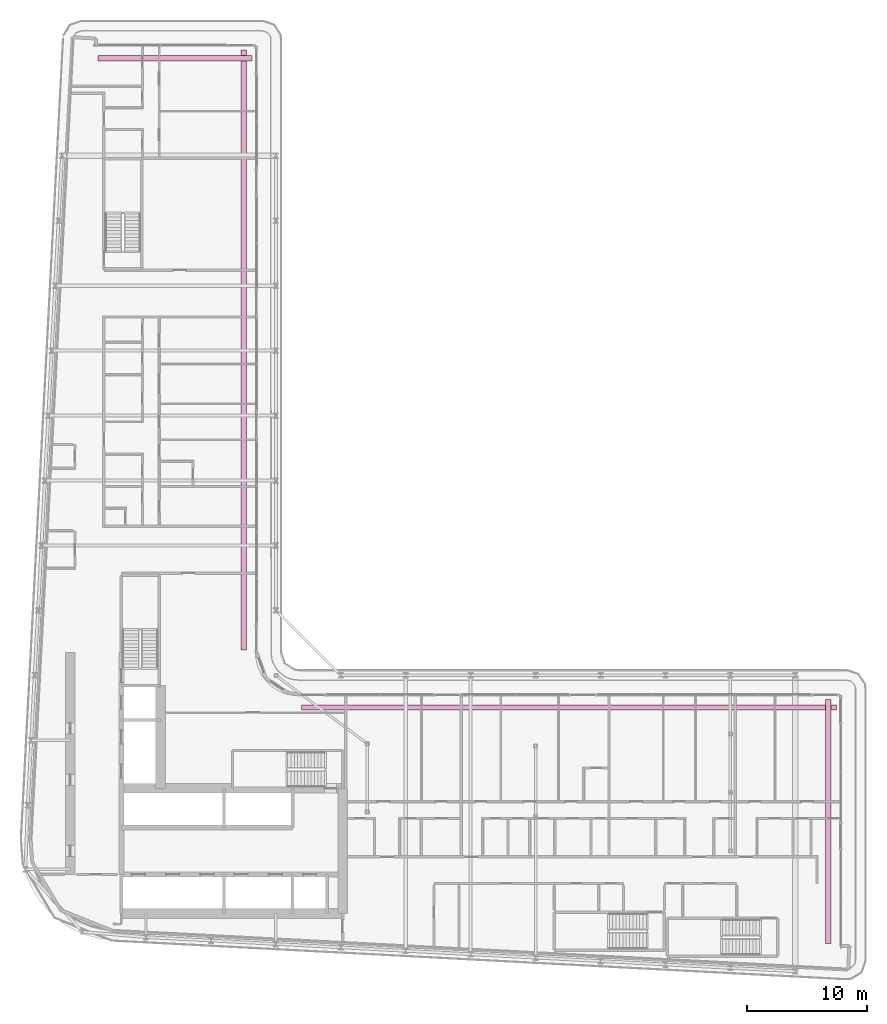
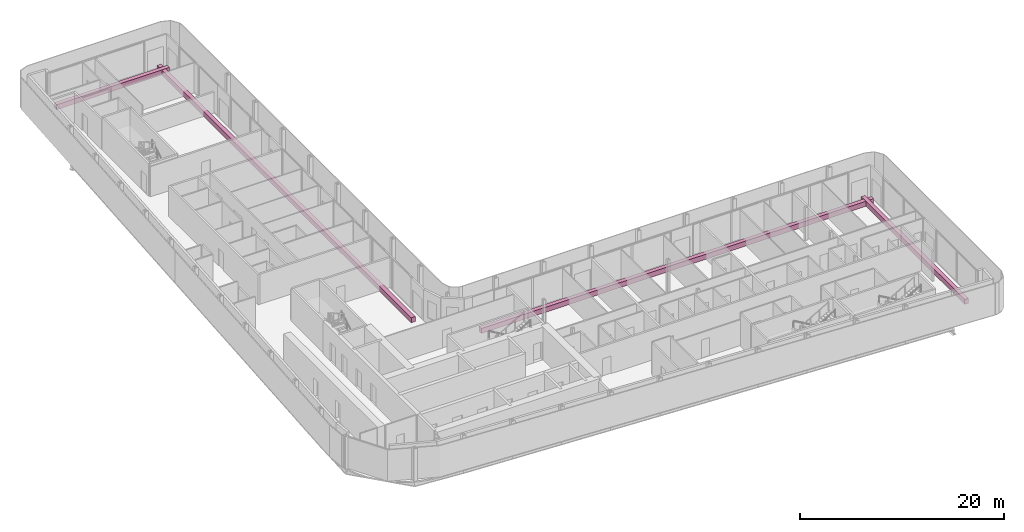
# One storey, part 29 of 29: 4 furniture elements.
"""IFC4 building model written with IfcOpenShell, lengths in metres."""

from ifc_helpers import new_model, si_unit, direction, frame, origin, origin_2d, place, context, subcontext, project, spatial, rectangle, extrude, material, type_object, element, save


model = new_model("IFC4")

# Units and contexts
model_context = context("Model", 3, precision=1e-05, world=origin(), true_north=direction((0.0, 1.0)))
body_context = subcontext(model_context, "Body", "Model", "MODEL_VIEW")
ifc_project = project(units=[si_unit("LENGTHUNIT", "METRE"), si_unit("AREAUNIT", "SQUARE_METRE"), si_unit("VOLUMEUNIT", "CUBIC_METRE"), si_unit("PLANEANGLEUNIT", "RADIAN"), si_unit("MASSUNIT", "GRAM", prefix="KILO")], contexts=[model_context])

# Site, building, storey
site_placement = place(None, origin())
site = spatial("IfcSite", under=ifc_project, at=site_placement, CompositionType="ELEMENT")
building_placement = place(site_placement, origin())
building = spatial("IfcBuilding", under=site, at=building_placement, Name="Kheshtan School and Residences Tower", CompositionType="ELEMENT")
storey_placement = place(building_placement, frame((0.0, 0.0, 172.10009765625)))
storey = spatial("IfcBuildingStorey", under=building, at=storey_placement, Name="L40", CompositionType="ELEMENT", Elevation=172.10009765625)

# Furniture
ifc_material = material(Name="Precast concrete C30/37 in terracotta finish", Category="masonry")
furniture_type = type_object("IfcFurnitureType", Name="Planter trough", AssemblyPlace="NOTDEFINED", PredefinedType="USERDEFINED", material=ifc_material)
furniture_1_placement = place(storey_placement, frame((39.196044921875, 96.925048828125, -0.000244140625), z_axis=(0.0, 0.0, 1.0), x_axis=(1.0, 0.0, 0.0)))
element("IfcFurniture", 1, at=furniture_1_placement, inside=storey, type_object=furniture_type, Name="Planter L40", ObjectType="PLANTER", PredefinedType="USERDEFINED", context=body_context, shape_type="SweptSolid", body=[
    extrude(rectangle(XDim=12.80810546875, YDim=0.449951171875, at=origin_2d()), origin(), (0.0, 0.0, 1.0), 0.60009765625),
])
furniture_2_placement = place(storey_placement, frame((44.925048828125, 72.6650390625, -0.000244140625), z_axis=(0.0, 0.0, 1.0), x_axis=(0.0, -1.0, 0.0)))
element("IfcFurniture", 2, at=furniture_2_placement, inside=storey, type_object=furniture_type, Name="Planter L40", ObjectType="PLANTER", PredefinedType="USERDEFINED", context=body_context, shape_type="SweptSolid", body=[
    extrude(rectangle(XDim=49.8701171875, YDim=0.449951171875, at=origin_2d()), origin(), (0.0, 0.0, 1.0), 0.60009765625),
])
furniture_3_placement = place(storey_placement, frame((71.965087890625, 42.925048828125, -0.000244140625), z_axis=(0.0, 0.0, 1.0), x_axis=(1.0, 0.0, 0.0)))
element("IfcFurniture", 3, at=furniture_3_placement, inside=storey, type_object=furniture_type, Name="Planter L40", ObjectType="PLANTER", PredefinedType="USERDEFINED", context=body_context, shape_type="SweptSolid", body=[
    extrude(rectangle(XDim=44.469970703125, YDim=0.449951171875, at=origin_2d()), origin(), (0.0, 0.0, 1.0), 0.60009765625),
])
furniture_4_placement = place(storey_placement, frame((93.52490234375, 33.448974609375, -0.000244140625), z_axis=(0.0, 0.0, 1.0), x_axis=(0.0, -1.0, 0.0)))
element("IfcFurniture", 4, at=furniture_4_placement, inside=storey, type_object=furniture_type, Name="Planter L40", ObjectType="PLANTER", PredefinedType="USERDEFINED", context=body_context, shape_type="SweptSolid", body=[
    extrude(rectangle(XDim=20.302001953125, YDim=0.449951171875, at=origin_2d()), origin(), (0.0, 0.0, 1.0), 0.60009765625),
])

save(model, "model.ifc")
